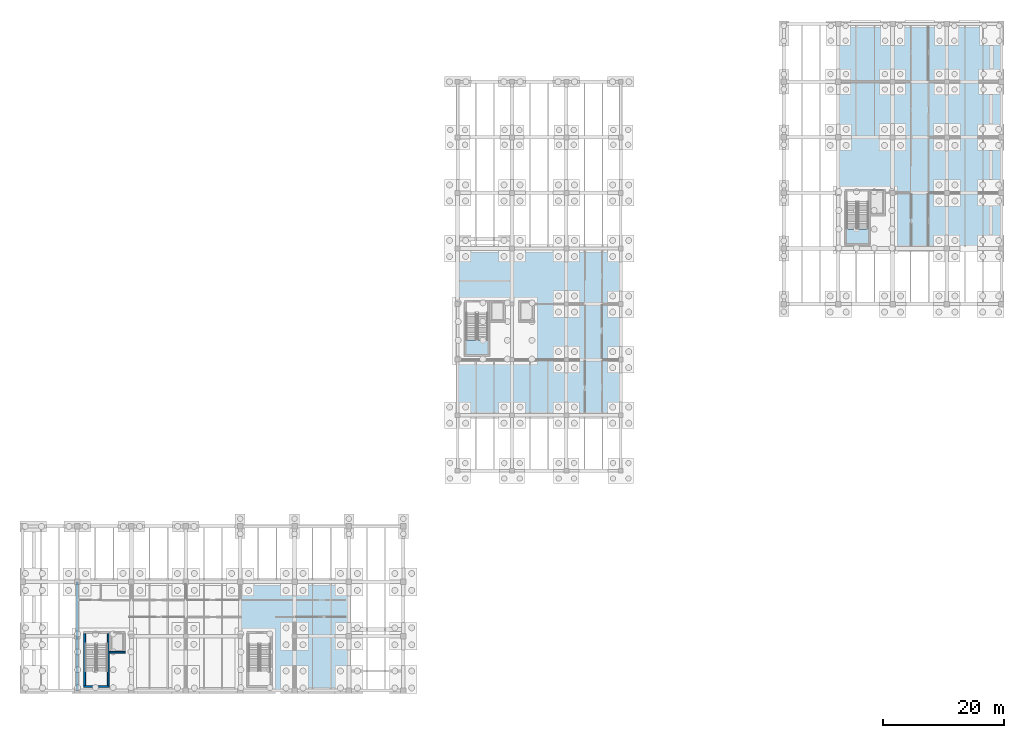
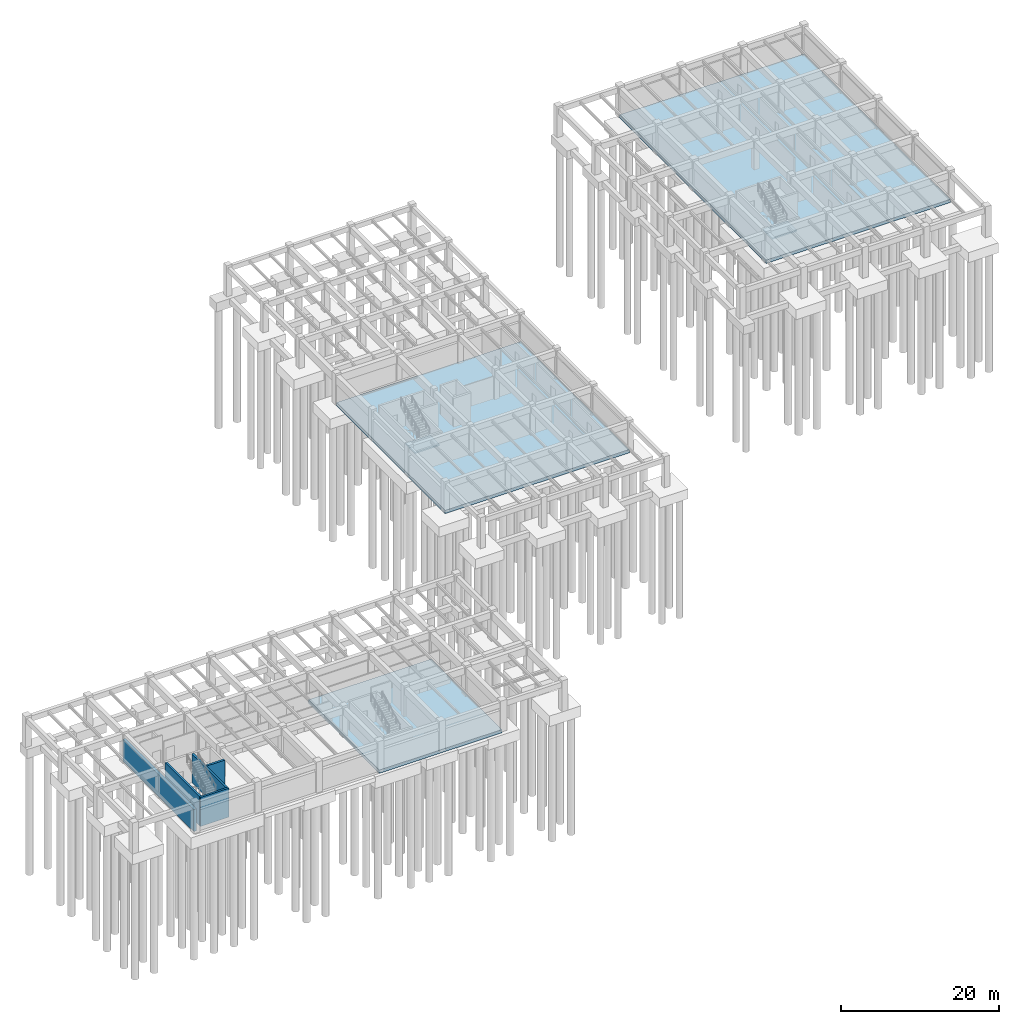
# One storey, part 8 of 16: 5 slabs, 5 walls, 2 elements without a shape of their own.
"""IFC4 building model written with IfcOpenShell, lengths in metres."""

from ifc_helpers import new_model, si_unit, direction, frame, frame_2d, origin, place, context, subcontext, project, spatial, polyline, rectangle, outline, extrude, material, layer, layer_set, type_object, element, aggregate, save


model = new_model("IFC4")

# Units and contexts
model_context = context("Model", 3, precision=1e-05, world=origin(), true_north=direction((0.0, 1.0)))
body_context = subcontext(model_context, "Body", "Model", "MODEL_VIEW")
ifc_project = project(units=[si_unit("LENGTHUNIT", "METRE"), si_unit("AREAUNIT", "SQUARE_METRE"), si_unit("VOLUMEUNIT", "CUBIC_METRE"), si_unit("PLANEANGLEUNIT", "RADIAN"), si_unit("MASSUNIT", "GRAM", prefix="KILO")], contexts=[model_context])

# Site, building, storey
site_placement = place(None, origin())
site = spatial("IfcSite", under=ifc_project, at=site_placement, CompositionType="ELEMENT")
building_placement = place(site_placement, origin())
building = spatial("IfcBuilding", under=site, at=building_placement, Name="Bozkorgan Art Gallery", CompositionType="ELEMENT")
storey_placement = place(building_placement, frame((0.0, 0.0, -4.800048828125)))
storey = spatial("IfcBuildingStorey", under=building, at=storey_placement, Name="B1", CompositionType="ELEMENT", Elevation=-4.800048828125)

# Stair, slab
ifc_material_1 = material(Name="Concrete C35/45", Category="concrete")
stair_type_1 = type_object("IfcStairType", Name="STAIR-CORE2", PredefinedType="HALF_TURN_STAIR", material=ifc_material_1)
stair_1_placement = place(storey_placement, origin())
stair_1 = element("IfcStair", 1, at=stair_1_placement, inside=storey, type_object=stair_type_1, Name="B1 ST2 Core Stair", PredefinedType="HALF_TURN_STAIR")
ifc_layer_1 = layer(ifc_material_1, 0.25, Name="Concrete C35/45")
ifc_layer_set_1 = layer_set([ifc_layer_1], Name="Concrete C35/45")
slab_type_1 = type_object("IfcSlabType", Name="LAND-CORE2", PredefinedType="LANDING", material=ifc_layer_set_1)
slab_1_placement = place(storey_placement, frame((0.0, 0.0, 2.199951171875)))
slab_1 = element("IfcSlab", 2, at=slab_1_placement, type_object=slab_type_1, Name="ST2 landing 1", PredefinedType="LANDING", context=body_context, shape_type="SweptSolid", body=[
    extrude(outline(polyline([(75.39990234375, 60.050048828125), (75.39990234375, 57.64990234375), (79.0, 57.64990234375), (79.0, 60.050048828125), (75.39990234375, 60.050048828125)])), origin(), (0.0, 0.0, 1.0), 0.2001953125),
])
aggregate(stair_1, [slab_1])

stair_type_2 = type_object("IfcStairType", Name="STAIR-CORE3", PredefinedType="HALF_TURN_STAIR", material=ifc_material_1)
stair_2_placement = place(storey_placement, origin())
stair_2 = element("IfcStair", 3, at=stair_2_placement, inside=storey, type_object=stair_type_2, Name="B1 ST3 Core Stair", PredefinedType="HALF_TURN_STAIR")
ifc_layer_2 = layer(ifc_material_1, 0.25, Name="Concrete C35/45")
ifc_layer_set_2 = layer_set([ifc_layer_2], Name="Concrete C35/45")
slab_type_2 = type_object("IfcSlabType", Name="LAND-CORE3", PredefinedType="LANDING", material=ifc_layer_set_2)
slab_2_placement = place(storey_placement, frame((0.0, 0.0, 2.199951171875)))
slab_2 = element("IfcSlab", 4, at=slab_2_placement, type_object=slab_type_2, Name="ST3 landing 1", PredefinedType="LANDING", context=body_context, shape_type="SweptSolid", body=[
    extrude(outline(polyline([(138.39990234375, 78.449951171875), (138.39990234375, 76.050048828125), (142.0, 76.050048828125), (142.0, 78.449951171875), (138.39990234375, 78.449951171875)])), origin(), (0.0, 0.0, 1.0), 0.2001953125),
])
aggregate(stair_2, [slab_2])

# Slabs
ifc_layer_3 = layer(ifc_material_1, 0.5, Name="Concrete C35/45")
ifc_layer_set_3 = layer_set([ifc_layer_3], Name="Concrete C35/45")
slab_type_3 = type_object("IfcSlabType", Name="SLAB-BS-48", PredefinedType="BASESLAB", material=ifc_layer_set_3)
slab_3_placement = place(storey_placement, frame((0.0, 0.0, -0.5)))
element("IfcSlab", 5, at=slab_3_placement, inside=storey, type_object=slab_type_3, Name="V1 B1 base slab 1.2", PredefinedType="BASESLAB", context=body_context, shape_type="SweptSolid", body=[
    extrude(outline(polyline([(38.0, 2.0), (56.0, 2.0), (56.0, 20.0), (38.0, 20.0), (38.0, 2.0)])), origin(), (0.0, 0.0, 1.0), 0.5),
])
slab_4_placement = place(storey_placement, frame((0.0, 0.0, -0.5)))
element("IfcSlab", 6, at=slab_4_placement, inside=storey, type_object=slab_type_3, Name="V4 B1 base slab 1.1", PredefinedType="BASESLAB", context=body_context, shape_type="SweptSolid", body=[
    extrude(outline(polyline([(74.0, 47.60009765625), (101.0, 47.60009765625), (101.0, 75.199951171875), (74.0, 75.199951171875), (74.0, 47.60009765625)])), origin(), (0.0, 0.0, 1.0), 0.5),
])
slab_5_placement = place(storey_placement, frame((0.0, 0.0, -0.5)))
element("IfcSlab", 7, at=slab_5_placement, inside=storey, type_object=slab_type_3, Name="V5 B1 base slab 1.1", PredefinedType="BASESLAB", context=body_context, shape_type="SweptSolid", body=[
    extrude(outline(polyline([(137.0, 75.199951171875), (164.0, 75.199951171875), (164.0, 112.39990234375), (137.0, 112.39990234375), (137.0, 75.199951171875)])), origin(), (0.0, 0.0, 1.0), 0.5),
])

# Walls
ifc_material_2 = material(Name="Concrete C40/50", Category="concrete")
ifc_layer_4 = layer(ifc_material_2, 0.300048828125, Name="Concrete C40/50")
ifc_layer_set_4 = layer_set([ifc_layer_4], Name="Concrete C40/50")
wall_type_1 = type_object("IfcWallType", Name="IWALL-CW-44", PredefinedType="SHEAR", material=ifc_layer_set_4)
wall_1_placement = place(storey_placement, frame((12.10009765625, 2.699951171875, 0.0), z_axis=(0.0, 0.0, 1.0), x_axis=(1.0, 0.0, 0.0)))
element("IfcWall", 8, at=wall_1_placement, inside=storey, type_object=wall_type_1, Name="CORE1 B1 stair core S shear wall", PredefinedType="SHEAR", context=body_context, shape_type="SweptSolid", body=[
    extrude(rectangle(XDim=4.199951171875, YDim=0.300048828125, at=frame_2d((2.10009765625, 0.0))), origin(), (0.0, 0.0, 1.0), 4.47998046875),
])
for number, where, z_axis, x_axis, name in (
    (9, (12.25, 2.85009765625, 0.0), (0.0, 0.0, 1.0), (0.0, 1.0, 0.0), "CORE1 B1 stair core W shear wall"),
    (10, (16.14990234375, 2.85009765625, 0.0), (0.0, 0.0, 1.0), (0.0, 1.0, 0.0), "CORE1 B1 stair core E shear wall"),
):
    element("IfcWall", number, at=place(storey_placement, frame(where, z_axis=z_axis, x_axis=x_axis)), inside=storey, type_object=wall_type_1, Name=name, PredefinedType="SHEAR", context=body_context, shape_type="SweptSolid", body=[
        extrude(rectangle(XDim=8.64990234375, YDim=0.300048828125, at=frame_2d((4.324951171875, 0.0))), origin(), (0.0, 0.0, 1.0), 4.47998046875),
    ])
wall_2_placement = place(storey_placement, frame((16.35009765625, 8.35009765625, 0.0), z_axis=(0.0, 0.0, 1.0), x_axis=(1.0, 0.0, 0.0)))
element("IfcWall", 11, at=wall_2_placement, inside=storey, type_object=wall_type_1, Name="PL1 B1 shaft S shear wall", PredefinedType="SHEAR", context=body_context, shape_type="SweptSolid", body=[
    extrude(rectangle(XDim=2.599853515625, YDim=0.300048828125, at=frame_2d((1.2998046875, 0.0))), origin(), (0.0, 0.0, 1.0), 4.47998046875),
])
ifc_layer_5 = layer(ifc_material_2, 0.419921875, Name="Concrete C40/50")
ifc_layer_set_5 = layer_set([ifc_layer_5], Name="Concrete C40/50")
wall_type_2 = type_object("IfcWallType", Name="WALL-RW-98", PredefinedType="SOLIDWALL", material=ifc_layer_set_5)
wall_3_placement = place(storey_placement, frame((11.0, 2.0, 0.0), z_axis=(0.0, 0.0, 1.0), x_axis=(0.0, 1.0, 0.0)))
element("IfcWall", 12, at=wall_3_placement, inside=storey, type_object=wall_type_2, Name="V1 B1 perimeter retaining wall (W)", PredefinedType="SOLIDWALL", context=body_context, shape_type="SweptSolid", body=[
    extrude(rectangle(XDim=18.0, YDim=0.419921875, at=frame_2d((9.0, 0.0))), origin(), (0.0, 0.0, 1.0), 3.4150390625),
])

save(model, "model.ifc")
